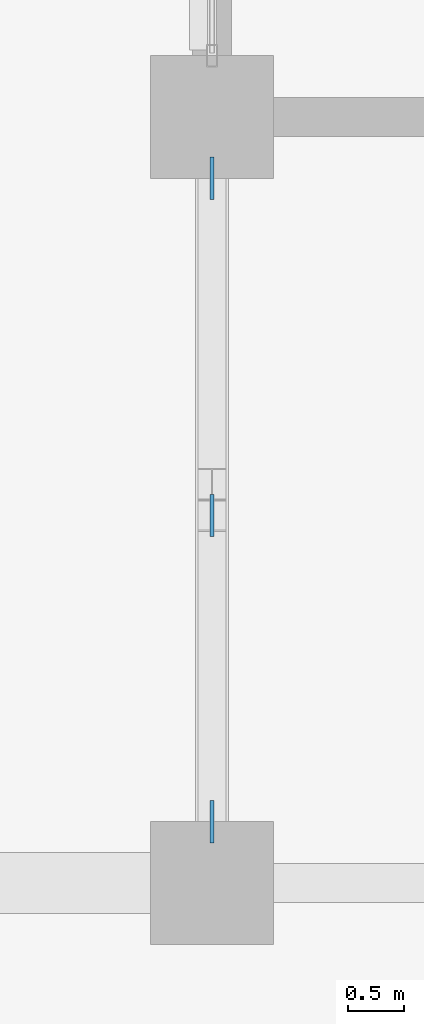
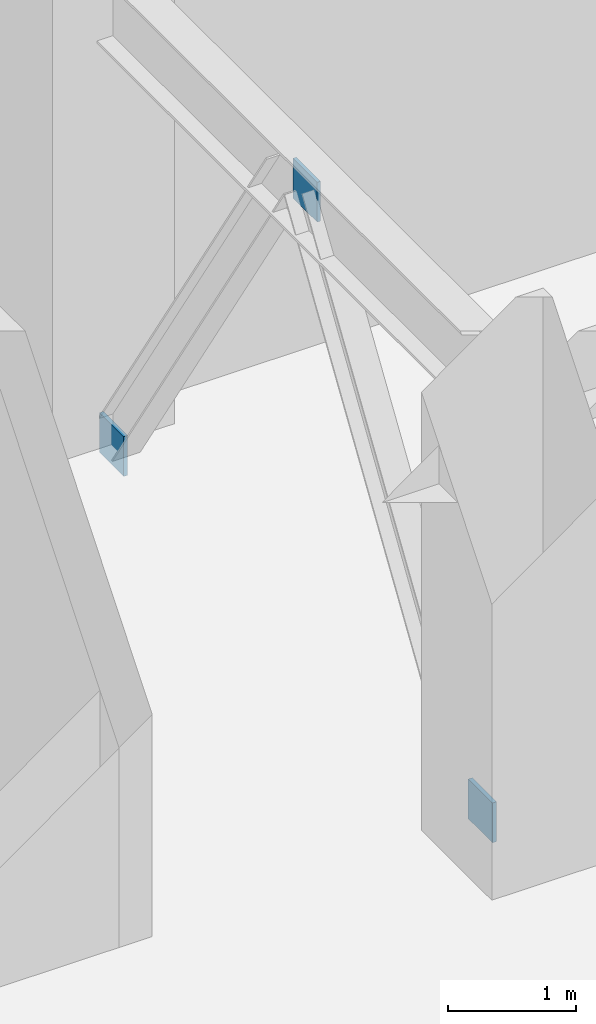
# One storey, part 59 of 91: 3 plates.
"""IFC4 building model written with IfcOpenShell, lengths in metres."""

from ifc_helpers import new_model, si_unit, direction, frame, origin, origin_2d, place, context, subcontext, project, spatial, rectangle, extrude, material, layer, layer_set, type_object, element, save


model = new_model("IFC4")

# Units and contexts
model_context = context("Model", 3, precision=1e-05, world=origin(), true_north=direction((0.0, 1.0)))
body_context = subcontext(model_context, "Body", "Model", "MODEL_VIEW")
ifc_project = project(units=[si_unit("LENGTHUNIT", "METRE"), si_unit("AREAUNIT", "SQUARE_METRE"), si_unit("VOLUMEUNIT", "CUBIC_METRE"), si_unit("PLANEANGLEUNIT", "RADIAN"), si_unit("MASSUNIT", "GRAM", prefix="KILO")], contexts=[model_context])

# Site, building, storey
site_placement = place(None, origin())
site = spatial("IfcSite", under=ifc_project, at=site_placement, CompositionType="ELEMENT")
building_placement = place(site_placement, origin())
building = spatial("IfcBuilding", under=site, at=building_placement, Name="Linyun Crest Stadium", CompositionType="ELEMENT")
storey_placement = place(building_placement, frame((0.0, 0.0, 11.39990234375)))
storey = spatial("IfcBuildingStorey", under=building, at=storey_placement, Name="L03", CompositionType="ELEMENT", Elevation=11.39990234375)

# Plates
ifc_material_1 = material(Name="Steel Q420C", Category="steel")
ifc_layer_1 = layer(ifc_material_1, 0.031982421875)
ifc_layer_set_1 = layer_set([ifc_layer_1], Name="Steel Q420C")
plate_type_1 = type_object("IfcPlateType", Name="EP04", PredefinedType="USERDEFINED", material=ifc_layer_set_1)
plate_placement = place(storey_placement, frame((-84.0, -42.701904296875, 4.0751953125), z_axis=(0.0, 0.0, 1.0), x_axis=(0.0, 1.0, 0.0)))
element("IfcPlate", 1, at=plate_placement, inside=storey, type_object=plate_type_1, Name="Hollow section cap end plate EP04 466", ObjectType="END PLATE", PredefinedType="USERDEFINED", context=body_context, shape_type="SweptSolid", body=[
    extrude(rectangle(XDim=0.3798828125, YDim=0.031982421875, at=origin_2d()), origin(), (0.0, 0.0, 1.0), 0.3798828125),
])
ifc_material_2 = material(Name="Steel Q420C", Category="steel")
ifc_layer_2 = layer(ifc_material_2, 0.035888671875)
ifc_layer_set_2 = layer_set([ifc_layer_2], Name="Steel Q420C")
plate_type_2 = type_object("IfcPlateType", Name="NP04", PredefinedType="USERDEFINED", material=ifc_layer_set_2)
for number, where, z_axis, x_axis, name in (
    (2, (-84.0, -45.449951171875, -0.18994140625), (0.0, 0.0, 1.0), (0.0, 1.0, 0.0), "Hollow section cap end plate NP04 465"),
    (3, (-84.0, -39.675048828125, -0.18994140625), (0.0, 0.0, 1.0), (0.0, 1.0, 0.0), "Hollow section cap end plate NP04 467"),
):
    element("IfcPlate", number, at=place(storey_placement, frame(where, z_axis=z_axis, x_axis=x_axis)), inside=storey, type_object=plate_type_2, Name=name, ObjectType="GUSSET PLATE", PredefinedType="USERDEFINED", context=body_context, shape_type="SweptSolid", body=[
        extrude(rectangle(XDim=0.3798828125, YDim=0.035888671875, at=origin_2d()), origin(), (0.0, 0.0, 1.0), 0.3798828125),
    ])

save(model, "model.ifc")
